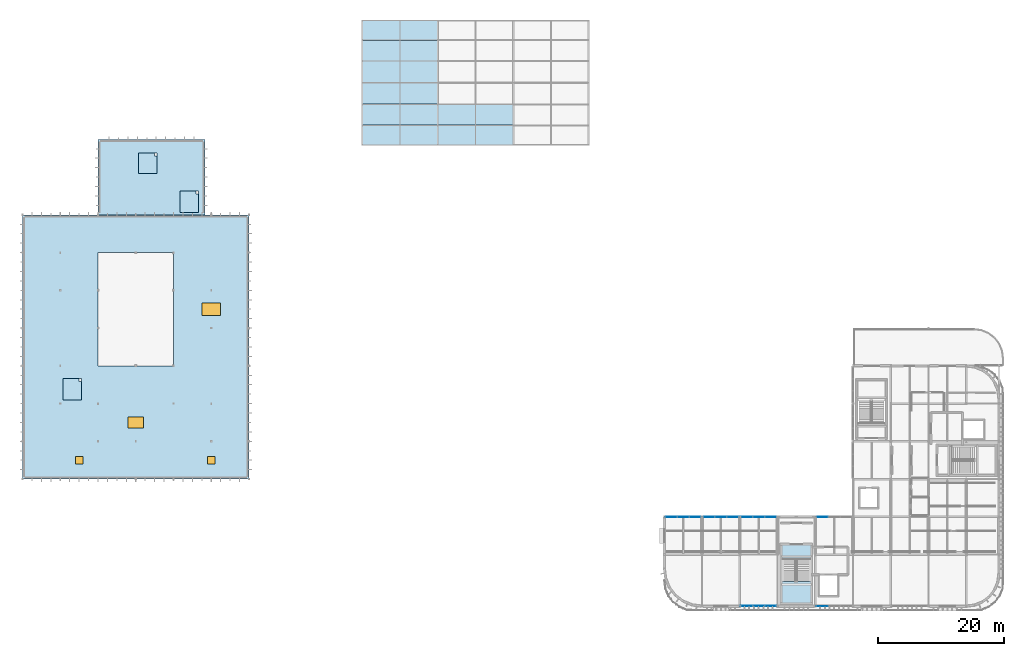
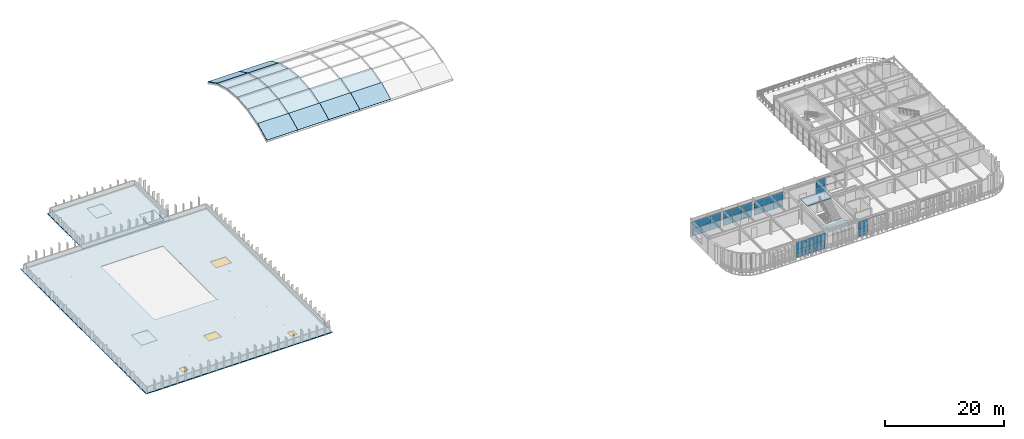
# One storey, part 10 of 27: 28 plates, 23 slabs, 2 doors, 2 windows, 4 openings, 7 elements without a shape of their own.
"""IFC4 building model written with IfcOpenShell, lengths in metres."""

from ifc_helpers import new_model, si_unit, direction, frame, origin, origin_2d, place, context, subcontext, project, spatial, polyline, rectangle, outline, extrude, material, layer, layer_set, type_object, element, fill, aggregate, save


model = new_model("IFC4")

# Units and contexts
model_context = context("Model", 3, precision=1e-05, world=origin(), true_north=direction((0.0, 1.0)))
body_context = subcontext(model_context, "Body", "Model", "MODEL_VIEW")
ifc_project = project(units=[si_unit("LENGTHUNIT", "METRE"), si_unit("AREAUNIT", "SQUARE_METRE"), si_unit("VOLUMEUNIT", "CUBIC_METRE"), si_unit("PLANEANGLEUNIT", "RADIAN"), si_unit("MASSUNIT", "GRAM", prefix="KILO")], contexts=[model_context])

# Site, building, storey
site_placement = place(None, origin())
site = spatial("IfcSite", under=ifc_project, at=site_placement, CompositionType="ELEMENT")
building_placement = place(site_placement, origin())
building = spatial("IfcBuilding", under=site, at=building_placement, Name="Varnakota Square Police Headquarters", CompositionType="ELEMENT")
storey_placement = place(building_placement, frame((0.0, 0.0, 26.10009765625)))
storey = spatial("IfcBuildingStorey", under=building, at=storey_placement, Name="L06", CompositionType="ELEMENT", Elevation=26.10009765625)

# Curtain wall, plate
ifc_material_1 = material(Name="Anodised Aluminium Framing", Category="aluminium")
curtain_wall_type_1 = type_object("IfcCurtainWallType", Name="CW-SYS-F", PredefinedType="NOTDEFINED", material=ifc_material_1)
curtain_wall_1_placement = place(storey_placement, origin())
curtain_wall_1 = element("IfcCurtainWall", 1, at=curtain_wall_1_placement, inside=storey, type_object=curtain_wall_type_1, Name="Unitised curtain wall CWG-L06-111", PredefinedType="NOTDEFINED")
ifc_material_2 = material(Name="Solar-Control Laminated Double Glazing", Category="glass")
ifc_layer_1 = layer(ifc_material_2, 0.028076171875, Name="Solar-Control Laminated Double Glazing")
ifc_layer_set_1 = layer_set([ifc_layer_1], Name="Solar-Control Laminated Double Glazing")
plate_type_1 = type_object("IfcPlateType", Name="CWP-GLZ-28", PredefinedType="CURTAIN_PANEL", material=ifc_layer_set_1)
plate_1_placement = place(storey_placement, frame((133.107177734375, 0.800048828125, 0.06494140625), z_axis=(0.0, 0.0, 1.0), x_axis=(1.0, 0.0, 0.0)))
plate_1 = element("IfcPlate", 2, at=plate_1_placement, type_object=plate_type_1, Name="CWG-L06-111 panel 1.1", PredefinedType="CURTAIN_PANEL", context=body_context, shape_type="SweptSolid", body=[
    extrude(rectangle(XDim=1.82421875, YDim=0.028076171875, at=origin_2d()), origin(), (0.0, 0.0, 1.0), 1.54248046875),
])

# Curtain wall, plates
curtain_wall_type_2 = type_object("IfcCurtainWallType", Name="CW-SYS-D", PredefinedType="NOTDEFINED", material=ifc_material_1)
curtain_wall_2_placement = place(storey_placement, origin())
curtain_wall_2 = element("IfcCurtainWall", 3, at=curtain_wall_2_placement, inside=storey, type_object=curtain_wall_type_2, Name="Unitised curtain wall CWG-L06-115", PredefinedType="NOTDEFINED")
plate_2_placement = place(storey_placement, frame((121.107177734375, 15.0, 0.06494140625), z_axis=(0.0, 0.0, 1.0), x_axis=(1.0, 0.0, 0.0)))
plate_2 = element("IfcPlate", 4, at=plate_2_placement, type_object=plate_type_1, Name="CWG-L06-115 panel 1.1", PredefinedType="CURTAIN_PANEL", context=body_context, shape_type="SweptSolid", body=[
    extrude(rectangle(XDim=1.82421875, YDim=0.028076171875, at=origin_2d()), origin(), (0.0, 0.0, 1.0), 1.4423828125),
])
plate_3_placement = place(storey_placement, frame((123.012451171875, 15.0, 0.06494140625), z_axis=(0.0, 0.0, 1.0), x_axis=(1.0, 0.0, 0.0)))
plate_3 = element("IfcPlate", 5, at=plate_3_placement, type_object=plate_type_1, Name="CWG-L06-115 panel 2.1", PredefinedType="CURTAIN_PANEL", context=body_context, shape_type="SweptSolid", body=[
    extrude(rectangle(XDim=1.856689453125, YDim=0.028076171875, at=origin_2d()), origin(), (0.0, 0.0, 1.0), 1.4423828125),
])
plate_4_placement = place(storey_placement, frame((124.91796875, 15.0, 0.06494140625), z_axis=(0.0, 0.0, 1.0), x_axis=(1.0, 0.0, 0.0)))
plate_4 = element("IfcPlate", 6, at=plate_4_placement, type_object=plate_type_1, Name="CWG-L06-115 panel 3.1", PredefinedType="CURTAIN_PANEL", context=body_context, shape_type="SweptSolid", body=[
    extrude(rectangle(XDim=1.82421875, YDim=0.028076171875, at=origin_2d()), origin(), (0.0, 0.0, 1.0), 1.4423828125),
])

# Curtain wall, plate
curtain_wall_3_placement = place(storey_placement, origin())
curtain_wall_3 = element("IfcCurtainWall", 7, at=curtain_wall_3_placement, inside=storey, type_object=curtain_wall_type_2, Name="Unitised curtain wall CWG-L06-116", PredefinedType="NOTDEFINED")
ifc_material_3 = material(Name="Acoustic Laminated Double Glazing", Category="glass")
ifc_layer_2 = layer(ifc_material_3, 0.031982421875, Name="Acoustic Laminated Double Glazing")
ifc_layer_set_2 = layer_set([ifc_layer_2], Name="Acoustic Laminated Double Glazing")
plate_type_2 = type_object("IfcPlateType", Name="CWP-GLZ-32", PredefinedType="CURTAIN_PANEL", material=ifc_layer_set_2)
plate_5_placement = place(storey_placement, frame((133.10302734375, 15.0, 0.06494140625), z_axis=(0.0, 0.0, 1.0), x_axis=(1.0, 0.0, 0.0)))
plate_5 = element("IfcPlate", 8, at=plate_5_placement, type_object=plate_type_2, Name="CWG-L06-116 panel 1.1", PredefinedType="CURTAIN_PANEL", context=body_context, shape_type="SweptSolid", body=[
    extrude(rectangle(XDim=1.81591796875, YDim=0.031982421875, at=origin_2d()), origin(), (0.0, 0.0, 1.0), 1.4423828125),
])

# Curtain wall, plates
curtain_wall_4_placement = place(storey_placement, origin())
curtain_wall_4 = element("IfcCurtainWall", 9, at=curtain_wall_4_placement, inside=storey, type_object=curtain_wall_type_2, Name="Unitised curtain wall CWG-L06-113", PredefinedType="NOTDEFINED")
ifc_material_4 = material(Name="Blast-Resistant Laminated Glazing", Category="glass")
ifc_layer_3 = layer(ifc_material_4, 0.035888671875, Name="Blast-Resistant Laminated Glazing")
ifc_layer_set_3 = layer_set([ifc_layer_3], Name="Blast-Resistant Laminated Glazing")
plate_type_3 = type_object("IfcPlateType", Name="CWP-GLZ-36", PredefinedType="CURTAIN_PANEL", material=ifc_layer_set_3)
plate_6_placement = place(storey_placement, frame((109.08203125, 15.0, 0.06494140625), z_axis=(0.0, 0.0, 1.0), x_axis=(1.0, 0.0, 0.0)))
plate_6 = element("IfcPlate", 10, at=plate_6_placement, type_object=plate_type_3, Name="CWG-L06-113 panel 1.1", PredefinedType="CURTAIN_PANEL", context=body_context, shape_type="SweptSolid", body=[
    extrude(rectangle(XDim=1.82421875, YDim=0.035888671875, at=origin_2d()), origin(), (0.0, 0.0, 1.0), 1.4423828125),
])
plate_7_placement = place(storey_placement, frame((110.987548828125, 15.0, 0.06494140625), z_axis=(0.0, 0.0, 1.0), x_axis=(1.0, 0.0, 0.0)))
plate_7 = element("IfcPlate", 11, at=plate_7_placement, type_object=plate_type_3, Name="CWG-L06-113 panel 2.1", PredefinedType="CURTAIN_PANEL", context=body_context, shape_type="SweptSolid", body=[
    extrude(rectangle(XDim=1.856689453125, YDim=0.035888671875, at=origin_2d()), origin(), (0.0, 0.0, 1.0), 1.4423828125),
])
plate_8_placement = place(storey_placement, frame((112.892822265625, 15.0, 0.06494140625), z_axis=(0.0, 0.0, 1.0), x_axis=(1.0, 0.0, 0.0)))
plate_8 = element("IfcPlate", 12, at=plate_8_placement, type_object=plate_type_3, Name="CWG-L06-113 panel 3.1", PredefinedType="CURTAIN_PANEL", context=body_context, shape_type="SweptSolid", body=[
    extrude(rectangle(XDim=1.82421875, YDim=0.035888671875, at=origin_2d()), origin(), (0.0, 0.0, 1.0), 1.4423828125),
])

curtain_wall_5_placement = place(storey_placement, origin())
curtain_wall_5 = element("IfcCurtainWall", 13, at=curtain_wall_5_placement, inside=storey, type_object=curtain_wall_type_1, Name="Unitised curtain wall CWG-L06-110", PredefinedType="NOTDEFINED")
ifc_material_5 = material(Name="Triple-Glazed Clean-Lab Vision Unit", Category="aluminium")
ifc_layer_4 = layer(ifc_material_5, 0.0419921875, Name="Triple-Glazed Clean-Lab Vision Unit")
ifc_layer_set_4 = layer_set([ifc_layer_4], Name="Triple-Glazed Clean-Lab Vision Unit")
plate_type_4 = type_object("IfcPlateType", Name="CWP-GLZ-42", PredefinedType="CURTAIN_PANEL", material=ifc_layer_set_4)
plate_9_placement = place(storey_placement, frame((121.08203125, 0.800048828125, 0.06494140625), z_axis=(0.0, 0.0, 1.0), x_axis=(1.0, 0.0, 0.0)))
plate_9 = element("IfcPlate", 14, at=plate_9_placement, type_object=plate_type_4, Name="CWG-L06-110 panel 1.1", PredefinedType="CURTAIN_PANEL", context=body_context, shape_type="SweptSolid", body=[
    extrude(rectangle(XDim=1.82421875, YDim=0.0419921875, at=origin_2d()), origin(), (0.0, 0.0, 1.0), 1.54248046875),
])
plate_10_placement = place(storey_placement, frame((122.987548828125, 0.800048828125, 0.06494140625), z_axis=(0.0, 0.0, 1.0), x_axis=(1.0, 0.0, 0.0)))
plate_10 = element("IfcPlate", 15, at=plate_10_placement, type_object=plate_type_4, Name="CWG-L06-110 panel 2.1", PredefinedType="CURTAIN_PANEL", context=body_context, shape_type="SweptSolid", body=[
    extrude(rectangle(XDim=1.856689453125, YDim=0.0419921875, at=origin_2d()), origin(), (0.0, 0.0, 1.0), 1.54248046875),
])
plate_11_placement = place(storey_placement, frame((124.892822265625, 0.800048828125, 0.06494140625), z_axis=(0.0, 0.0, 1.0), x_axis=(1.0, 0.0, 0.0)))
plate_11 = element("IfcPlate", 16, at=plate_11_placement, type_object=plate_type_4, Name="CWG-L06-110 panel 3.1", PredefinedType="CURTAIN_PANEL", context=body_context, shape_type="SweptSolid", body=[
    extrude(rectangle(XDim=1.82421875, YDim=0.0419921875, at=origin_2d()), origin(), (0.0, 0.0, 1.0), 1.54248046875),
])

curtain_wall_6_placement = place(storey_placement, origin())
curtain_wall_6 = element("IfcCurtainWall", 17, at=curtain_wall_6_placement, inside=storey, type_object=curtain_wall_type_2, Name="Unitised curtain wall CWG-L06-114", PredefinedType="NOTDEFINED")
plate_12_placement = place(storey_placement, frame((115.10302734375, 15.0, 0.06494140625), z_axis=(0.0, 0.0, 1.0), x_axis=(1.0, 0.0, 0.0)))
plate_12 = element("IfcPlate", 18, at=plate_12_placement, type_object=plate_type_4, Name="CWG-L06-114 panel 1.1", PredefinedType="CURTAIN_PANEL", context=body_context, shape_type="SweptSolid", body=[
    extrude(rectangle(XDim=1.81591796875, YDim=0.0419921875, at=origin_2d()), origin(), (0.0, 0.0, 1.0), 1.4423828125),
])
plate_13_placement = place(storey_placement, frame((117.0, 15.0, 0.06494140625), z_axis=(0.0, 0.0, 1.0), x_axis=(1.0, 0.0, 0.0)))
plate_13 = element("IfcPlate", 19, at=plate_13_placement, type_object=plate_type_4, Name="CWG-L06-114 panel 2.1", PredefinedType="CURTAIN_PANEL", context=body_context, shape_type="SweptSolid", body=[
    extrude(rectangle(XDim=1.848388671875, YDim=0.0419921875, at=origin_2d()), origin(), (0.0, 0.0, 1.0), 1.4423828125),
])
plate_14_placement = place(storey_placement, frame((118.89697265625, 15.0, 0.06494140625), z_axis=(0.0, 0.0, 1.0), x_axis=(1.0, 0.0, 0.0)))
plate_14 = element("IfcPlate", 20, at=plate_14_placement, type_object=plate_type_4, Name="CWG-L06-114 panel 3.1", PredefinedType="CURTAIN_PANEL", context=body_context, shape_type="SweptSolid", body=[
    extrude(rectangle(XDim=1.81591796875, YDim=0.0419921875, at=origin_2d()), origin(), (0.0, 0.0, 1.0), 1.4423828125),
])

# Plate
ifc_material_6 = material(Name="Insulated Anodised Aluminium Spandrel Panel", Category="aluminium")
ifc_layer_5 = layer(ifc_material_6, 0.050048828125, Name="Insulated Anodised Aluminium Spandrel Panel")
ifc_layer_set_5 = layer_set([ifc_layer_5], Name="Insulated Anodised Aluminium Spandrel Panel")
plate_type_5 = type_object("IfcPlateType", Name="CWP-SPN-50", PredefinedType="CURTAIN_PANEL", material=ifc_layer_set_5)
plate_15_placement = place(storey_placement, frame((133.107177734375, 0.800048828125, 1.67236328125), z_axis=(0.0, 0.0, 1.0), x_axis=(1.0, 0.0, 0.0)))
plate_15 = element("IfcPlate", 21, at=plate_15_placement, type_object=plate_type_5, Name="CWG-L06-111 panel 1.2", PredefinedType="CURTAIN_PANEL", context=body_context, shape_type="SweptSolid", body=[
    extrude(rectangle(XDim=1.82421875, YDim=0.050048828125, at=origin_2d()), origin(), (0.0, 0.0, 1.0), 1.54248046875),
])

aggregate(curtain_wall_1, [plate_1, plate_15])

plate_16_placement = place(storey_placement, frame((109.08203125, 15.0, 1.572509765625), z_axis=(0.0, 0.0, 1.0), x_axis=(1.0, 0.0, 0.0)))
plate_16 = element("IfcPlate", 22, at=plate_16_placement, type_object=plate_type_5, Name="CWG-L06-113 panel 1.2", PredefinedType="CURTAIN_PANEL", context=body_context, shape_type="SweptSolid", body=[
    extrude(rectangle(XDim=1.82421875, YDim=0.050048828125, at=origin_2d()), origin(), (0.0, 0.0, 1.0), 1.4423828125),
])

plate_17_placement = place(storey_placement, frame((110.987548828125, 15.0, 1.572509765625), z_axis=(0.0, 0.0, 1.0), x_axis=(1.0, 0.0, 0.0)))
plate_17 = element("IfcPlate", 23, at=plate_17_placement, type_object=plate_type_5, Name="CWG-L06-113 panel 2.2", PredefinedType="CURTAIN_PANEL", context=body_context, shape_type="SweptSolid", body=[
    extrude(rectangle(XDim=1.856689453125, YDim=0.050048828125, at=origin_2d()), origin(), (0.0, 0.0, 1.0), 1.4423828125),
])

plate_18_placement = place(storey_placement, frame((112.892822265625, 15.0, 1.572509765625), z_axis=(0.0, 0.0, 1.0), x_axis=(1.0, 0.0, 0.0)))
plate_18 = element("IfcPlate", 24, at=plate_18_placement, type_object=plate_type_5, Name="CWG-L06-113 panel 3.2", PredefinedType="CURTAIN_PANEL", context=body_context, shape_type="SweptSolid", body=[
    extrude(rectangle(XDim=1.82421875, YDim=0.050048828125, at=origin_2d()), origin(), (0.0, 0.0, 1.0), 1.4423828125),
])

aggregate(curtain_wall_4, [plate_6, plate_16, plate_7, plate_17, plate_8, plate_18])

plate_19_placement = place(storey_placement, frame((121.107177734375, 15.0, 1.572509765625), z_axis=(0.0, 0.0, 1.0), x_axis=(1.0, 0.0, 0.0)))
plate_19 = element("IfcPlate", 25, at=plate_19_placement, type_object=plate_type_5, Name="CWG-L06-115 panel 1.2", PredefinedType="CURTAIN_PANEL", context=body_context, shape_type="SweptSolid", body=[
    extrude(rectangle(XDim=1.82421875, YDim=0.050048828125, at=origin_2d()), origin(), (0.0, 0.0, 1.0), 1.4423828125),
])

plate_20_placement = place(storey_placement, frame((123.012451171875, 15.0, 1.572509765625), z_axis=(0.0, 0.0, 1.0), x_axis=(1.0, 0.0, 0.0)))
plate_20 = element("IfcPlate", 26, at=plate_20_placement, type_object=plate_type_5, Name="CWG-L06-115 panel 2.2", PredefinedType="CURTAIN_PANEL", context=body_context, shape_type="SweptSolid", body=[
    extrude(rectangle(XDim=1.856689453125, YDim=0.050048828125, at=origin_2d()), origin(), (0.0, 0.0, 1.0), 1.4423828125),
])

plate_21_placement = place(storey_placement, frame((124.91796875, 15.0, 1.572509765625), z_axis=(0.0, 0.0, 1.0), x_axis=(1.0, 0.0, 0.0)))
plate_21 = element("IfcPlate", 27, at=plate_21_placement, type_object=plate_type_5, Name="CWG-L06-115 panel 3.2", PredefinedType="CURTAIN_PANEL", context=body_context, shape_type="SweptSolid", body=[
    extrude(rectangle(XDim=1.82421875, YDim=0.050048828125, at=origin_2d()), origin(), (0.0, 0.0, 1.0), 1.4423828125),
])

aggregate(curtain_wall_2, [plate_2, plate_19, plate_3, plate_20, plate_4, plate_21])

ifc_material_7 = material(Name="Fire-Stopped Mineral-Wool Spandrel Panel", Category="aluminium")
ifc_layer_6 = layer(ifc_material_7, 0.06005859375, Name="Fire-Stopped Mineral-Wool Spandrel Panel")
ifc_layer_set_6 = layer_set([ifc_layer_6], Name="Fire-Stopped Mineral-Wool Spandrel Panel")
plate_type_6 = type_object("IfcPlateType", Name="CWP-SPN-60", PredefinedType="CURTAIN_PANEL", material=ifc_layer_set_6)
plate_22_placement = place(storey_placement, frame((121.08203125, 0.800048828125, 1.67236328125), z_axis=(0.0, 0.0, 1.0), x_axis=(1.0, 0.0, 0.0)))
plate_22 = element("IfcPlate", 28, at=plate_22_placement, type_object=plate_type_6, Name="CWG-L06-110 panel 1.2", PredefinedType="CURTAIN_PANEL", context=body_context, shape_type="SweptSolid", body=[
    extrude(rectangle(XDim=1.82421875, YDim=0.06005859375, at=origin_2d()), origin(), (0.0, 0.0, 1.0), 1.54248046875),
])

plate_23_placement = place(storey_placement, frame((122.987548828125, 0.800048828125, 1.67236328125), z_axis=(0.0, 0.0, 1.0), x_axis=(1.0, 0.0, 0.0)))
plate_23 = element("IfcPlate", 29, at=plate_23_placement, type_object=plate_type_6, Name="CWG-L06-110 panel 2.2", PredefinedType="CURTAIN_PANEL", context=body_context, shape_type="SweptSolid", body=[
    extrude(rectangle(XDim=1.856689453125, YDim=0.06005859375, at=origin_2d()), origin(), (0.0, 0.0, 1.0), 1.54248046875),
])

plate_24_placement = place(storey_placement, frame((124.892822265625, 0.800048828125, 1.67236328125), z_axis=(0.0, 0.0, 1.0), x_axis=(1.0, 0.0, 0.0)))
plate_24 = element("IfcPlate", 30, at=plate_24_placement, type_object=plate_type_6, Name="CWG-L06-110 panel 3.2", PredefinedType="CURTAIN_PANEL", context=body_context, shape_type="SweptSolid", body=[
    extrude(rectangle(XDim=1.82421875, YDim=0.06005859375, at=origin_2d()), origin(), (0.0, 0.0, 1.0), 1.54248046875),
])

aggregate(curtain_wall_5, [plate_9, plate_22, plate_10, plate_23, plate_11, plate_24])

plate_25_placement = place(storey_placement, frame((115.10302734375, 15.0, 1.572509765625), z_axis=(0.0, 0.0, 1.0), x_axis=(1.0, 0.0, 0.0)))
plate_25 = element("IfcPlate", 31, at=plate_25_placement, type_object=plate_type_6, Name="CWG-L06-114 panel 1.2", PredefinedType="CURTAIN_PANEL", context=body_context, shape_type="SweptSolid", body=[
    extrude(rectangle(XDim=1.81591796875, YDim=0.06005859375, at=origin_2d()), origin(), (0.0, 0.0, 1.0), 1.4423828125),
])

plate_26_placement = place(storey_placement, frame((117.0, 15.0, 1.572509765625), z_axis=(0.0, 0.0, 1.0), x_axis=(1.0, 0.0, 0.0)))
plate_26 = element("IfcPlate", 32, at=plate_26_placement, type_object=plate_type_6, Name="CWG-L06-114 panel 2.2", PredefinedType="CURTAIN_PANEL", context=body_context, shape_type="SweptSolid", body=[
    extrude(rectangle(XDim=1.848388671875, YDim=0.06005859375, at=origin_2d()), origin(), (0.0, 0.0, 1.0), 1.4423828125),
])

plate_27_placement = place(storey_placement, frame((118.89697265625, 15.0, 1.572509765625), z_axis=(0.0, 0.0, 1.0), x_axis=(1.0, 0.0, 0.0)))
plate_27 = element("IfcPlate", 33, at=plate_27_placement, type_object=plate_type_6, Name="CWG-L06-114 panel 3.2", PredefinedType="CURTAIN_PANEL", context=body_context, shape_type="SweptSolid", body=[
    extrude(rectangle(XDim=1.81591796875, YDim=0.06005859375, at=origin_2d()), origin(), (0.0, 0.0, 1.0), 1.4423828125),
])

aggregate(curtain_wall_6, [plate_12, plate_25, plate_13, plate_26, plate_14, plate_27])

plate_28_placement = place(storey_placement, frame((133.10302734375, 15.0, 1.572509765625), z_axis=(0.0, 0.0, 1.0), x_axis=(1.0, 0.0, 0.0)))
plate_28 = element("IfcPlate", 34, at=plate_28_placement, type_object=plate_type_6, Name="CWG-L06-116 panel 1.2", PredefinedType="CURTAIN_PANEL", context=body_context, shape_type="SweptSolid", body=[
    extrude(rectangle(XDim=1.81591796875, YDim=0.06005859375, at=origin_2d()), origin(), (0.0, 0.0, 1.0), 1.4423828125),
])

aggregate(curtain_wall_3, [plate_5, plate_28])

# Slabs
ifc_material_8 = material(Name="Concrete M40", Category="concrete")
ifc_layer_7 = layer(ifc_material_8, 0.199951171875, Name="Concrete M40")
ifc_layer_set_7 = layer_set([ifc_layer_7], Name="Concrete M40")
slab_type_1 = type_object("IfcSlabType", Name="SL-COMP-200", PredefinedType="FLOOR", material=ifc_layer_set_7)
slab_1_placement = place(storey_placement, frame((0.0, 0.0, -0.2001953125)))
element("IfcSlab", 35, at=slab_1_placement, inside=storey, type_object=slab_type_1, Name="Lift shaft top slab LF-P2", PredefinedType="FLOOR", context=body_context, shape_type="SweptSolid", body=[
    extrude(outline(polyline([(12.39990234375, 33.60009765625), (15.39990234375, 33.60009765625), (15.39990234375, 36.550048828125), (14.949951171875, 36.550048828125), (14.949951171875, 37.0), (12.39990234375, 37.0), (12.39990234375, 33.60009765625)])), origin(), (0.0, 0.0, 1.0), 0.2001953125),
])
slab_2_placement = place(storey_placement, frame((0.0, 0.0, -0.2001953125)))
element("IfcSlab", 36, at=slab_2_placement, inside=storey, type_object=slab_type_1, Name="Lift shaft top slab LF-P3", PredefinedType="FLOOR", context=body_context, shape_type="SweptSolid", body=[
    extrude(outline(polyline([(24.39990234375, 69.60009765625), (27.39990234375, 69.60009765625), (27.39990234375, 72.35009765625), (26.949951171875, 72.35009765625), (26.949951171875, 72.800048828125), (24.39990234375, 72.800048828125), (24.39990234375, 69.60009765625)])), origin(), (0.0, 0.0, 1.0), 0.2001953125),
])
slab_3_placement = place(storey_placement, frame((0.0, 0.0, -0.2001953125)))
element("IfcSlab", 37, at=slab_3_placement, inside=storey, type_object=slab_type_1, Name="Lift shaft top slab LF-G1", PredefinedType="FLOOR", context=body_context, shape_type="SweptSolid", body=[
    extrude(outline(polyline([(31.0, 63.39990234375), (34.0, 63.39990234375), (34.0, 66.35009765625), (33.550048828125, 66.35009765625), (33.550048828125, 66.800048828125), (31.0, 66.800048828125), (31.0, 63.39990234375)])), origin(), (0.0, 0.0, 1.0), 0.2001953125),
])

# Slab, openings, doors, windows
ifc_layer_8 = layer(ifc_material_8, 0.159912109375, Name="Concrete M40")
ifc_layer_set_8 = layer_set([ifc_layer_8], Name="Concrete M40")
slab_type_2 = type_object("IfcSlabType", Name="SL-RF-160", PredefinedType="ROOF", material=ifc_layer_set_8)
slab_4_placement = place(storey_placement, frame((0.0, 0.0, -0.16015625)))
slab_4 = element("IfcSlab", 38, at=slab_4_placement, inside=storey, type_object=slab_type_2, Name="L06 Forensic Wing Roof Slab", PredefinedType="ROOF", context=body_context, shape_type="SweptSolid", body=[
    extrude(outline(polyline([(6.0, 21.0), (42.0, 21.0), (42.0, 63.0), (6.0, 63.0), (6.0, 21.0)]), holes=[polyline([(18.0, 39.0), (30.0, 39.0), (30.0, 57.0), (18.0, 57.0), (18.0, 39.0)]), polyline([(12.39501953125, 33.594970703125), (15.405029296875, 33.594970703125), (15.405029296875, 37.0048828125), (12.39501953125, 37.0048828125), (12.39501953125, 33.594970703125)])]), origin(), (0.0, 0.0, 1.0), 0.16015625),
])
opening_1_placement = place(slab_4_placement, frame((24.0, 30.0, -0.010009765625)))
opening_1 = element("IfcOpeningElement", 39, at=opening_1_placement, cuts=slab_4, Name="Opening SK01", PredefinedType="OPENING", context=body_context, shape_type="SweptSolid", body=[
    extrude(rectangle(XDim=2.39990234375, YDim=1.800048828125, at=origin_2d()), origin(), (0.0, 0.0, 1.0), 0.18017578125),
])
opening_2_placement = place(slab_4_placement, frame((36.0, 48.0, -0.010009765625)))
opening_2 = element("IfcOpeningElement", 40, at=opening_2_placement, cuts=slab_4, Name="Opening SK02", PredefinedType="OPENING", context=body_context, shape_type="SweptSolid", body=[
    extrude(rectangle(XDim=3.0, YDim=2.0, at=origin_2d()), origin(), (0.0, 0.0, 1.0), 0.18017578125),
])
opening_3_placement = place(slab_4_placement, frame((15.0, 24.0, -0.010009765625)))
opening_3 = element("IfcOpeningElement", 41, at=opening_3_placement, cuts=slab_4, Name="Opening RH05", PredefinedType="OPENING", context=body_context, shape_type="SweptSolid", body=[
    extrude(rectangle(XDim=1.199951171875, YDim=1.199951171875, at=origin_2d()), origin(), (0.0, 0.0, 1.0), 0.18017578125),
])
opening_4_placement = place(slab_4_placement, frame((36.0, 24.0, -0.010009765625)))
opening_4 = element("IfcOpeningElement", 42, at=opening_4_placement, cuts=slab_4, Name="Opening RH06", PredefinedType="OPENING", context=body_context, shape_type="SweptSolid", body=[
    extrude(rectangle(XDim=1.199951171875, YDim=1.199951171875, at=origin_2d()), origin(), (0.0, 0.0, 1.0), 0.18017578125),
])
ifc_material_9 = material(Name="Insulated Aluminium Roof Access Hatch", Category="aluminium")
door_type = type_object("IfcDoorType", Name="DR-HTCH-120", OperationType="NOTDEFINED", PredefinedType="TRAPDOOR", material=ifc_material_9)
door_1_placement = place(opening_3_placement, frame((0.0, 0.0, 0.06494140625)))
door_1 = element("IfcDoor", 43, at=door_1_placement, inside=storey, type_object=door_type, Name="Roof access hatch RH05", OperationType="SINGLE_SWING_LEFT", OverallHeight=1.199951171875, OverallWidth=1.199951171875, PredefinedType="TRAPDOOR", context=body_context, shape_type="SweptSolid", body=[
    extrude(rectangle(XDim=1.199951171875, YDim=1.199951171875, at=origin_2d()), origin(), (0.0, 0.0, 1.0), 0.050048828125),
])
fill(opening_3, door_1)
door_2_placement = place(opening_4_placement, frame((0.0, 0.0, 0.06494140625)))
door_2 = element("IfcDoor", 44, at=door_2_placement, inside=storey, type_object=door_type, Name="Roof access hatch RH06", OperationType="SINGLE_SWING_LEFT", OverallHeight=1.199951171875, OverallWidth=1.199951171875, PredefinedType="TRAPDOOR", context=body_context, shape_type="SweptSolid", body=[
    extrude(rectangle(XDim=1.199951171875, YDim=1.199951171875, at=origin_2d()), origin(), (0.0, 0.0, 1.0), 0.050048828125),
])
fill(opening_4, door_2)
ifc_material_10 = material(Name="Thermally Broken Aluminium Double-Glazed Window", Category="aluminium")
window_type_1 = type_object("IfcWindowType", Name="SKY-01", PartitioningType="SINGLE_PANEL", PredefinedType="SKYLIGHT", material=ifc_material_10)
window_1_placement = place(opening_1_placement, frame((0.0, 0.0, 0.06494140625)))
window_1 = element("IfcWindow", 45, at=window_1_placement, inside=storey, type_object=window_type_1, Name="Roof skylight SKY-L06-05", OverallHeight=1.800048828125, OverallWidth=2.39990234375, PartitioningType="SINGLE_PANEL", PredefinedType="SKYLIGHT", context=body_context, shape_type="SweptSolid", body=[
    extrude(rectangle(XDim=2.39990234375, YDim=1.800048828125, at=origin_2d()), origin(), (0.0, 0.0, 1.0), 0.050048828125),
])
fill(opening_1, window_1)
window_type_2 = type_object("IfcWindowType", Name="SKY-02", PartitioningType="SINGLE_PANEL", PredefinedType="SKYLIGHT", material=ifc_material_10)
window_2_placement = place(opening_2_placement, frame((0.0, 0.0, 0.06494140625)))
window_2 = element("IfcWindow", 46, at=window_2_placement, inside=storey, type_object=window_type_2, Name="Roof skylight SKY-L06-06", OverallHeight=2.0, OverallWidth=3.0, PartitioningType="SINGLE_PANEL", PredefinedType="SKYLIGHT", context=body_context, shape_type="SweptSolid", body=[
    extrude(rectangle(XDim=3.0, YDim=2.0, at=origin_2d()), origin(), (0.0, 0.0, 1.0), 0.050048828125),
])
fill(opening_2, window_2)

# Slabs
slab_5_placement = place(storey_placement, frame((0.0, 0.0, -0.16015625)))
element("IfcSlab", 47, at=slab_5_placement, inside=storey, type_object=slab_type_2, Name="L06 Core C5 Overrun Roof", PredefinedType="ROOF", context=body_context, shape_type="SweptSolid", body=[
    extrude(outline(polyline([(18.0, 63.0), (35.0, 63.0), (35.0, 75.0), (18.0, 75.0), (18.0, 63.0)]), holes=[polyline([(24.39501953125, 69.594970703125), (27.405029296875, 69.594970703125), (27.405029296875, 72.804931640625), (24.39501953125, 72.804931640625), (24.39501953125, 69.594970703125)]), polyline([(30.9951171875, 63.39501953125), (34.0048828125, 63.39501953125), (34.0048828125, 66.804931640625), (30.9951171875, 66.804931640625), (30.9951171875, 63.39501953125)])]), origin(), (0.0, 0.0, 1.0), 0.16015625),
])
ifc_layer_9 = layer(ifc_material_8, 0.139892578125, Name="Concrete M40")
ifc_layer_set_9 = layer_set([ifc_layer_9], Name="Concrete M40")
slab_type_3 = type_object("IfcSlabType", Name="SL-VLT-140", PredefinedType="ROOF", material=ifc_layer_set_9)
slab_6_placement = place(storey_placement, frame((60.0, 74.097900390625, 0.77197265625), z_axis=(0.0, -0.447185470407, 0.894441252994), x_axis=(1.0, 0.0, 0.0)))
element("IfcSlab", 48, at=slab_6_placement, inside=storey, type_object=slab_type_3, Name="Barrel vault roof deck strip V2-B01-S03", PredefinedType="ROOF", context=body_context, shape_type="SweptSolid", body=[
    extrude(outline(polyline([(0.0, 0.0), (6.0, 0.0), (6.0, 3.472237981230684), (0.0, 3.472237981230684), (0.0, 0.0)])), origin(), (0.0, 0.0, -1.0), 0.139892578125),
])
slab_7_placement = place(storey_placement, frame((60.0, 77.20361328125, 2.32470703125), z_axis=(0.0, -0.274628265229, 0.961550474981), x_axis=(1.0, 0.0, 0.0)))
element("IfcSlab", 49, at=slab_7_placement, inside=storey, type_object=slab_type_3, Name="Barrel vault roof deck strip V2-B01-S04", PredefinedType="ROOF", context=body_context, shape_type="SweptSolid", body=[
    extrude(outline(polyline([(0.0, 0.0), (6.0, 0.0), (6.0, 3.4723784911700735), (0.0, 3.4723784911700735), (0.0, 0.0)])), origin(), (0.0, 0.0, -1.0), 0.139892578125),
])
for number, where, z_axis, x_axis, name in (
    (50, (60.0, 80.54248046875, 3.2783203125), (0.0, -0.092595811122, 0.995703779124), (1.0, 0.0, 0.0), "Barrel vault roof deck strip V2-B01-S05"),
    (51, (60.0, 84.0, 3.599853515625), (0.0, 0.092595811122, 0.995703779124), (1.0, 0.0, 0.0), "Barrel vault roof deck strip V2-B01-S06"),
):
    element("IfcSlab", number, at=place(storey_placement, frame(where, z_axis=z_axis, x_axis=x_axis)), inside=storey, type_object=slab_type_3, Name=name, PredefinedType="ROOF", context=body_context, shape_type="SweptSolid", body=[
        extrude(outline(polyline([(0.0, 0.0), (6.0, 0.0), (6.0, 3.4724378914081444), (0.0, 3.4724378914081444), (0.0, 0.0)])), origin(), (0.0, 0.0, -1.0), 0.139892578125),
    ])
slab_8_placement = place(storey_placement, frame((60.0, 87.45751953125, 3.2783203125), z_axis=(0.0, 0.274628265229, 0.961550474981), x_axis=(1.0, 0.0, 0.0)))
element("IfcSlab", 52, at=slab_8_placement, inside=storey, type_object=slab_type_3, Name="Barrel vault roof deck strip V2-B01-S07", PredefinedType="ROOF", context=body_context, shape_type="SweptSolid", body=[
    extrude(outline(polyline([(0.0, 0.0), (6.0, 0.0), (6.0, 3.4723784911700735), (0.0, 3.4723784911700735), (0.0, 0.0)])), origin(), (0.0, 0.0, -1.0), 0.139892578125),
])
for number, where, z_axis, x_axis, name in (
    (53, (60.0, 90.79638671875, 2.32470703125), (0.0, 0.447185470407, 0.894441252994), (1.0, 0.0, 0.0), "Barrel vault roof deck strip V2-B01-S08"),
    (54, (66.0, 74.097900390625, 0.77197265625), (0.0, -0.447185470407, 0.894441252994), (1.0, 0.0, 0.0), "Barrel vault roof deck strip V2-B02-S03"),
):
    element("IfcSlab", number, at=place(storey_placement, frame(where, z_axis=z_axis, x_axis=x_axis)), inside=storey, type_object=slab_type_3, Name=name, PredefinedType="ROOF", context=body_context, shape_type="SweptSolid", body=[
        extrude(outline(polyline([(0.0, 0.0), (6.0, 0.0), (6.0, 3.472237981230684), (0.0, 3.472237981230684), (0.0, 0.0)])), origin(), (0.0, 0.0, -1.0), 0.139892578125),
    ])
slab_9_placement = place(storey_placement, frame((66.0, 77.20361328125, 2.32470703125), z_axis=(0.0, -0.274628265229, 0.961550474981), x_axis=(1.0, 0.0, 0.0)))
element("IfcSlab", 55, at=slab_9_placement, inside=storey, type_object=slab_type_3, Name="Barrel vault roof deck strip V2-B02-S04", PredefinedType="ROOF", context=body_context, shape_type="SweptSolid", body=[
    extrude(outline(polyline([(0.0, 0.0), (6.0, 0.0), (6.0, 3.4723784911700735), (0.0, 3.4723784911700735), (0.0, 0.0)])), origin(), (0.0, 0.0, -1.0), 0.139892578125),
])
for number, where, z_axis, x_axis, name in (
    (56, (66.0, 80.54248046875, 3.2783203125), (0.0, -0.092595811122, 0.995703779124), (1.0, 0.0, 0.0), "Barrel vault roof deck strip V2-B02-S05"),
    (57, (66.0, 84.0, 3.599853515625), (0.0, 0.092595811122, 0.995703779124), (1.0, 0.0, 0.0), "Barrel vault roof deck strip V2-B02-S06"),
):
    element("IfcSlab", number, at=place(storey_placement, frame(where, z_axis=z_axis, x_axis=x_axis)), inside=storey, type_object=slab_type_3, Name=name, PredefinedType="ROOF", context=body_context, shape_type="SweptSolid", body=[
        extrude(outline(polyline([(0.0, 0.0), (6.0, 0.0), (6.0, 3.4724378914081444), (0.0, 3.4724378914081444), (0.0, 0.0)])), origin(), (0.0, 0.0, -1.0), 0.139892578125),
    ])
slab_10_placement = place(storey_placement, frame((66.0, 87.45751953125, 3.2783203125), z_axis=(0.0, 0.274628265229, 0.961550474981), x_axis=(1.0, 0.0, 0.0)))
element("IfcSlab", 58, at=slab_10_placement, inside=storey, type_object=slab_type_3, Name="Barrel vault roof deck strip V2-B02-S07", PredefinedType="ROOF", context=body_context, shape_type="SweptSolid", body=[
    extrude(outline(polyline([(0.0, 0.0), (6.0, 0.0), (6.0, 3.4723784911700735), (0.0, 3.4723784911700735), (0.0, 0.0)])), origin(), (0.0, 0.0, -1.0), 0.139892578125),
])
for number, where, z_axis, x_axis, name in (
    (59, (66.0, 90.79638671875, 2.32470703125), (0.0, 0.447185470407, 0.894441252994), (1.0, 0.0, 0.0), "Barrel vault roof deck strip V2-B02-S08"),
    (60, (72.0, 74.097900390625, 0.77197265625), (0.0, -0.447185470407, 0.894441252994), (1.0, 0.0, 0.0), "Barrel vault roof deck strip V2-B03-S03"),
):
    element("IfcSlab", number, at=place(storey_placement, frame(where, z_axis=z_axis, x_axis=x_axis)), inside=storey, type_object=slab_type_3, Name=name, PredefinedType="ROOF", context=body_context, shape_type="SweptSolid", body=[
        extrude(outline(polyline([(0.0, 0.0), (6.0, 0.0), (6.0, 3.472237981230684), (0.0, 3.472237981230684), (0.0, 0.0)])), origin(), (0.0, 0.0, -1.0), 0.139892578125),
    ])
slab_11_placement = place(storey_placement, frame((72.0, 77.20361328125, 2.32470703125), z_axis=(0.0, -0.274628265229, 0.961550474981), x_axis=(1.0, 0.0, 0.0)))
element("IfcSlab", 61, at=slab_11_placement, inside=storey, type_object=slab_type_3, Name="Barrel vault roof deck strip V2-B03-S04", PredefinedType="ROOF", context=body_context, shape_type="SweptSolid", body=[
    extrude(outline(polyline([(0.0, 0.0), (6.0, 0.0), (6.0, 3.4723784911700735), (0.0, 3.4723784911700735), (0.0, 0.0)])), origin(), (0.0, 0.0, -1.0), 0.139892578125),
])
slab_12_placement = place(storey_placement, frame((78.0, 74.097900390625, 0.77197265625), z_axis=(0.0, -0.447185470407, 0.894441252994), x_axis=(1.0, 0.0, 0.0)))
element("IfcSlab", 62, at=slab_12_placement, inside=storey, type_object=slab_type_3, Name="Barrel vault roof deck strip V2-B04-S03", PredefinedType="ROOF", context=body_context, shape_type="SweptSolid", body=[
    extrude(outline(polyline([(0.0, 0.0), (6.0, 0.0), (6.0, 3.472237981230684), (0.0, 3.472237981230684), (0.0, 0.0)])), origin(), (0.0, 0.0, -1.0), 0.139892578125),
])
slab_13_placement = place(storey_placement, frame((78.0, 77.20361328125, 2.32470703125), z_axis=(0.0, -0.274628265229, 0.961550474981), x_axis=(1.0, 0.0, 0.0)))
element("IfcSlab", 63, at=slab_13_placement, inside=storey, type_object=slab_type_3, Name="Barrel vault roof deck strip V2-B04-S04", PredefinedType="ROOF", context=body_context, shape_type="SweptSolid", body=[
    extrude(outline(polyline([(0.0, 0.0), (6.0, 0.0), (6.0, 3.4723784911700735), (0.0, 3.4723784911700735), (0.0, 0.0)])), origin(), (0.0, 0.0, -1.0), 0.139892578125),
])

# Stair, slabs
stair_type = type_object("IfcStairType", Name="STR-DOG-2000", PredefinedType="USERDEFINED", material=ifc_material_8)
stair_placement = place(storey_placement, origin())
stair = element("IfcStair", 64, at=stair_placement, inside=storey, type_object=stair_type, Name="Protected exit stair ST1 (L06)", ObjectType="TWO_RETURN_STAIR", PredefinedType="USERDEFINED")
ifc_layer_10 = layer(ifc_material_8, 0.166015625, Name="Concrete M40")
ifc_layer_set_10 = layer_set([ifc_layer_10], Name="Concrete M40")
slab_type_4 = type_object("IfcSlabType", Name="SLB-LND-2000", PredefinedType="LANDING", material=ifc_layer_set_10)
slab_14_placement = place(storey_placement, frame((0.0, 0.0, 1.783935546875)))
slab_14 = element("IfcSlab", 65, at=slab_14_placement, type_object=slab_type_4, Name="ST1-L06 landing 1", PredefinedType="LANDING", context=body_context, shape_type="SweptSolid", body=[
    extrude(outline(polyline([(126.659912109375, 1.31005859375), (131.340087890625, 1.31005859375), (131.340087890625, 4.699462890625), (126.659912109375, 4.699462890625), (126.659912109375, 1.31005859375)])), origin(), (0.0, 0.0, 1.0), 0.166015625),
])
slab_15_placement = place(storey_placement, frame((0.0, 0.0, 3.73388671875)))
slab_15 = element("IfcSlab", 66, at=slab_15_placement, type_object=slab_type_4, Name="ST1-L06 landing 2", PredefinedType="LANDING", context=body_context, shape_type="SweptSolid", body=[
    extrude(outline(polyline([(126.659912109375, 8.300048828125), (131.340087890625, 8.300048828125), (131.340087890625, 10.590087890625), (126.659912109375, 10.590087890625), (126.659912109375, 8.300048828125)])), origin(), (0.0, 0.0, 1.0), 0.166015625),
])
aggregate(stair, [slab_14, slab_15])

save(model, "model.ifc")
